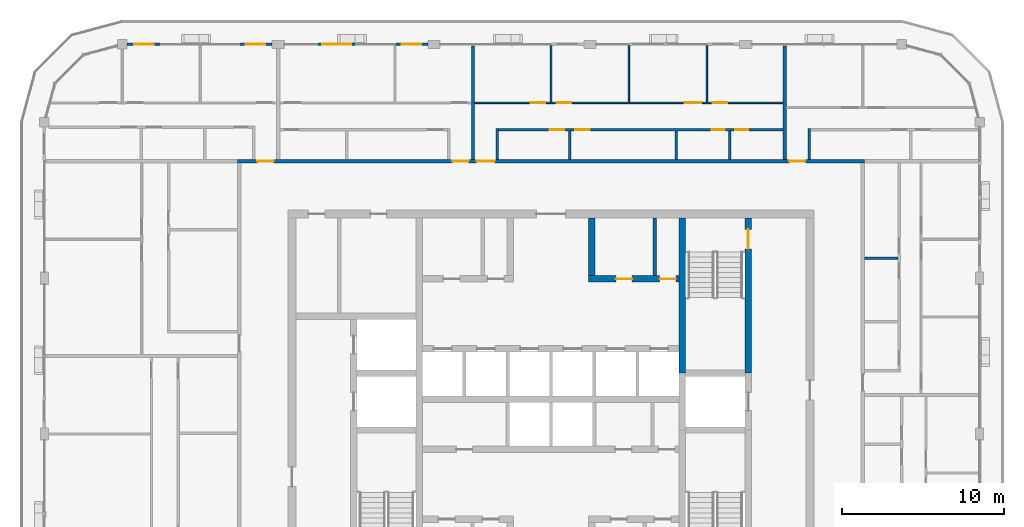
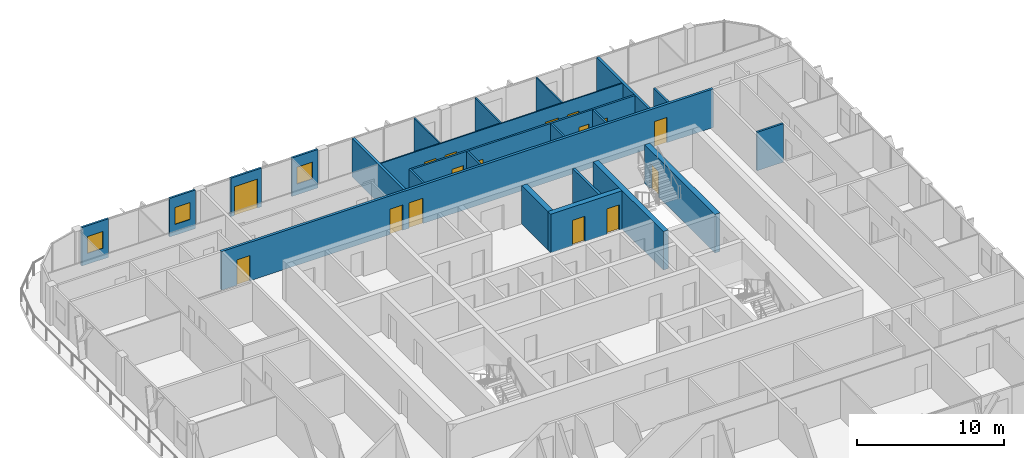
# One storey, part 14 of 22: 23 walls, 16 doors, 3 windows, 19 openings.
"""IFC4 building model written with IfcOpenShell, lengths in metres."""

from ifc_helpers import new_model, si_unit, direction, frame, frame_2d, origin, place, context, subcontext, project, spatial, rectangle, extrude, material, layer, layer_set, type_object, element, fill, save


model = new_model("IFC4")

# Units and contexts
model_context = context("Model", 3, precision=1e-05, world=origin(), true_north=direction((0.0, 1.0)))
body_context = subcontext(model_context, "Body", "Model", "MODEL_VIEW")
ifc_project = project(units=[si_unit("LENGTHUNIT", "METRE"), si_unit("AREAUNIT", "SQUARE_METRE"), si_unit("VOLUMEUNIT", "CUBIC_METRE"), si_unit("PLANEANGLEUNIT", "RADIAN"), si_unit("MASSUNIT", "GRAM", prefix="KILO")], contexts=[model_context])

# Site, building, storey
site_placement = place(None, origin())
site = spatial("IfcSite", under=ifc_project, at=site_placement, CompositionType="ELEMENT")
building_placement = place(site_placement, origin())
building = spatial("IfcBuilding", under=site, at=building_placement, Name="Madar Terraces", CompositionType="ELEMENT")
storey_placement = place(building_placement, frame((0.0, 0.0, 282.60009765625)))
storey = spatial("IfcBuildingStorey", under=building, at=storey_placement, Name="L74", CompositionType="ELEMENT", Elevation=282.60009765625)

# Wall
ifc_material_1 = material(Name="Concrete C50/60", Category="concrete")
ifc_layer_1 = layer(ifc_material_1, 0.39990234375)
ifc_layer_set_1 = layer_set([ifc_layer_1], Name="Concrete C50/60 (CIW6 RC wall 400)")
wall_type_1 = type_object("IfcWallType", Name="CIW6 RC wall 400", PredefinedType="SHEAR", material=ifc_layer_set_1)
wall_1_placement = place(storey_placement, frame((39.300048828125, 27.75, 0.0), z_axis=(0.0, 0.0, 1.0), x_axis=(0.0, 1.0, 0.0)))
element("IfcWall", 1, at=wall_1_placement, inside=storey, type_object=wall_type_1, Name="CORE SHAFT WALL", PredefinedType="SHEAR", context=body_context, shape_type="SweptSolid", body=[
    extrude(rectangle(XDim=9.550048828125, YDim=0.39990234375, at=frame_2d((4.77490234375, 0.0))), origin(), (0.0, 0.0, 1.0), 3.199951171875),
])

# Wall, opening, door
wall_2_placement = place(storey_placement, frame((43.35009765625, 27.75, 0.0), z_axis=(0.0, 0.0, 1.0), x_axis=(0.0, 1.0, 0.0)))
wall_2 = element("IfcWall", 2, at=wall_2_placement, inside=storey, type_object=wall_type_1, Name="CORE SHAFT WALL", PredefinedType="SHEAR", context=body_context, shape_type="SweptSolid", body=[
    extrude(rectangle(XDim=9.550048828125, YDim=0.39990234375, at=frame_2d((4.77490234375, 0.0))), origin(), (0.0, 0.0, 1.0), 3.199951171875),
])
opening_1_placement = place(wall_2_placement, frame((7.64990234375, 0.0, 0.0)))
opening_1 = element("IfcOpeningElement", 3, at=opening_1_placement, cuts=wall_2, Name="Opening SD1", PredefinedType="OPENING", context=body_context, shape_type="SweptSolid", body=[
    extrude(rectangle(XDim=1.199951171875, YDim=2.10009765625, at=frame_2d((0.60009765625, 1.050048828125))), frame((0.0, 0.2099609375, 0.0), z_axis=(0.0, -1.0, 0.0), x_axis=(1.0, 0.0, 0.0)), (0.0, 0.0, 1.0), 0.419921875),
])
ifc_material_2 = material(Name="Steel door leaf", Category="steel")
door_type_1 = type_object("IfcDoorType", Name="Stair door 1200 x 2100", OperationType="NOTDEFINED", PredefinedType="DOOR", material=ifc_material_2)
door_1_placement = place(opening_1_placement, origin())
door_1 = element("IfcDoor", 4, at=door_1_placement, inside=storey, type_object=door_type_1, Name="STAIR DOOR", OperationType="SINGLE_SWING_RIGHT", OverallHeight=2.10009765625, OverallWidth=1.199951171875, PredefinedType="DOOR", context=body_context, shape_type="SweptSolid", body=[
    extrude(rectangle(XDim=1.199951171875, YDim=2.10009765625, at=frame_2d((0.60009765625, 1.050048828125))), frame((0.0, 0.02490234375, 0.0), z_axis=(0.0, -1.0, 0.0), x_axis=(1.0, 0.0, 0.0)), (0.0, 0.0, 1.0), 0.050048828125),
])
fill(opening_1, door_1)

# Wall, openings, doors
wall_3_placement = place(storey_placement, frame((33.5, 33.550048828125, 0.0), z_axis=(0.0, 0.0, 1.0), x_axis=(1.0, 0.0, 0.0)))
wall_3 = element("IfcWall", 5, at=wall_3_placement, inside=storey, type_object=wall_type_1, Name="CORE SHAFT WALL", PredefinedType="SHEAR", context=body_context, shape_type="SweptSolid", body=[
    extrude(rectangle(XDim=5.60009765625, YDim=0.39990234375, at=frame_2d((2.800048828125, 0.0))), origin(), (0.0, 0.0, 1.0), 3.199951171875),
])
opening_2_placement = place(wall_3_placement, frame((1.696044921875, 0.0, 0.0)))
opening_2 = element("IfcOpeningElement", 6, at=opening_2_placement, cuts=wall_3, Name="Opening KD2", PredefinedType="OPENING", context=body_context, shape_type="SweptSolid", body=[
    extrude(rectangle(XDim=1.0, YDim=2.10009765625, at=frame_2d((0.5, 1.050048828125))), frame((0.0, 0.2099609375, 0.0), z_axis=(0.0, -1.0, 0.0), x_axis=(1.0, 0.0, 0.0)), (0.0, 0.0, 1.0), 0.419921875),
])
opening_3_placement = place(wall_3_placement, frame((4.39599609375, 0.0, 0.0)))
opening_3 = element("IfcOpeningElement", 7, at=opening_3_placement, cuts=wall_3, Name="Opening KD2", PredefinedType="OPENING", context=body_context, shape_type="SweptSolid", body=[
    extrude(rectangle(XDim=1.0, YDim=2.10009765625, at=frame_2d((0.5, 1.050048828125))), frame((0.0, 0.2099609375, 0.0), z_axis=(0.0, -1.0, 0.0), x_axis=(1.0, 0.0, 0.0)), (0.0, 0.0, 1.0), 0.419921875),
])
ifc_material_3 = material(Name="Steel door leaf", Category="steel")
door_type_2 = type_object("IfcDoorType", Name="Service room door 1000 x 2100", OperationType="NOTDEFINED", PredefinedType="DOOR", material=ifc_material_3)
door_2_placement = place(opening_2_placement, frame((1.0, 0.0, 0.0), z_axis=(0.0, 0.0, 1.0), x_axis=(-1.0, 0.0, 0.0)))
door_2 = element("IfcDoor", 8, at=door_2_placement, inside=storey, type_object=door_type_2, Name="SERVICE ROOM DOOR", OperationType="SINGLE_SWING_RIGHT", OverallHeight=2.10009765625, OverallWidth=1.0, PredefinedType="DOOR", context=body_context, shape_type="SweptSolid", body=[
    extrude(rectangle(XDim=1.0, YDim=2.10009765625, at=frame_2d((0.5, 1.050048828125))), frame((0.0, 0.02490234375, 0.0), z_axis=(0.0, -1.0, 0.0), x_axis=(1.0, 0.0, 0.0)), (0.0, 0.0, 1.0), 0.050048828125),
])
fill(opening_2, door_2)
door_3_placement = place(opening_3_placement, frame((1.0, 0.0, 0.0), z_axis=(0.0, 0.0, 1.0), x_axis=(-1.0, 0.0, 0.0)))
door_3 = element("IfcDoor", 9, at=door_3_placement, inside=storey, type_object=door_type_2, Name="SERVICE ROOM DOOR", OperationType="SINGLE_SWING_LEFT", OverallHeight=2.10009765625, OverallWidth=1.0, PredefinedType="DOOR", context=body_context, shape_type="SweptSolid", body=[
    extrude(rectangle(XDim=1.0, YDim=2.10009765625, at=frame_2d((0.5, 1.050048828125))), frame((0.0, 0.02490234375, 0.0), z_axis=(0.0, -1.0, 0.0), x_axis=(1.0, 0.0, 0.0)), (0.0, 0.0, 1.0), 0.050048828125),
])
fill(opening_3, door_3)

# Walls
wall_4_placement = place(storey_placement, frame((33.699951171875, 33.75, 0.0), z_axis=(0.0, 0.0, 1.0), x_axis=(0.0, 1.0, 0.0)))
element("IfcWall", 10, at=wall_4_placement, inside=storey, type_object=wall_type_1, Name="CORE SHAFT WALL", PredefinedType="SHEAR", context=body_context, shape_type="SweptSolid", body=[
    extrude(rectangle(XDim=3.550048828125, YDim=0.39990234375, at=frame_2d((1.77490234375, 0.0))), origin(), (0.0, 0.0, 1.0), 3.199951171875),
])
ifc_material_4 = material(Name="Masonry blockwork", Category="masonry")
ifc_layer_2 = layer(ifc_material_4, 0.199951171875)
ifc_layer_set_2 = layer_set([ifc_layer_2], Name="Core partition 200 blockwork")
wall_type_2 = type_object("IfcWallType", Name="Core partition 200 blockwork", PredefinedType="PARTITIONING", material=ifc_layer_set_2)
wall_5_placement = place(storey_placement, frame((37.592041015625, 33.75, 0.0), z_axis=(0.0, 0.0, 1.0), x_axis=(0.0, 1.0, 0.0)))
element("IfcWall", 11, at=wall_5_placement, inside=storey, type_object=wall_type_2, Name="SERVICE ROOM PARTITION", PredefinedType="PARTITIONING", context=body_context, shape_type="SweptSolid", body=[
    extrude(rectangle(XDim=3.550048828125, YDim=0.199951171875, at=frame_2d((1.77490234375, 0.0))), origin(), (0.0, 0.0, 1.0), 3.199951171875),
])

# Wall, opening, window
ifc_material_5 = material(Name="Aluminium composite panel, black, over insulated backing", Category="aluminium")
ifc_layer_3 = layer(ifc_material_5, 0.14990234375)
ifc_layer_set_3 = layer_set([ifc_layer_3], Name="Facade bay panel 150")
wall_type_3 = type_object("IfcWallType", Name="Facade bay panel 150", PredefinedType="SOLIDWALL", material=ifc_layer_set_3)
wall_6_placement = place(storey_placement, frame((23.625, 48.0, 0.0), z_axis=(0.0, 0.0, 1.0), x_axis=(-1.0, 0.0, 0.0)))
wall_6 = element("IfcWall", 12, at=wall_6_placement, inside=storey, type_object=wall_type_3, Name="Facade bay panel", PredefinedType="SOLIDWALL", context=body_context, shape_type="SweptSolid", body=[
    extrude(rectangle(XDim=2.02490234375, YDim=0.14990234375, at=frame_2d((1.012451171875, 0.0))), origin(), (0.0, 0.0, 1.0), 3.199951171875),
])
opening_4_placement = place(wall_6_placement, frame((0.41259765625, 0.0, 0.89990234375)))
opening_4 = element("IfcOpeningElement", 13, at=opening_4_placement, cuts=wall_6, Name="Opening W1", PredefinedType="OPENING", context=body_context, shape_type="SweptSolid", body=[
    extrude(rectangle(XDim=1.199951171875, YDim=1.39990234375, at=frame_2d((0.60009765625, 0.699951171875))), frame((0.0, 0.0849609375, 0.0), z_axis=(0.0, -1.0, 0.0), x_axis=(1.0, 0.0, 0.0)), (0.0, 0.0, 1.0), 0.169921875),
])
ifc_material_6 = material(Name="Glass, clear, with black aluminium frame", Category="aluminium")
window_type = type_object("IfcWindowType", Name="Vent window 1200 x 1400", PartitioningType="SINGLE_PANEL", PredefinedType="WINDOW", material=ifc_material_6)
window_1_placement = place(opening_4_placement, origin())
window_1 = element("IfcWindow", 14, at=window_1_placement, inside=storey, type_object=window_type, Name="Operable vent window", OverallHeight=1.39990234375, OverallWidth=1.199951171875, PartitioningType="SINGLE_PANEL", PredefinedType="WINDOW", context=body_context, shape_type="SweptSolid", body=[
    extrude(rectangle(XDim=1.199951171875, YDim=1.39990234375, at=frame_2d((0.60009765625, 0.699951171875))), frame((0.0, 0.030029296875, 0.0), z_axis=(0.0, -1.0, 0.0), x_axis=(1.0, 0.0, 0.0)), (0.0, 0.0, 1.0), 0.06005859375),
])
fill(opening_4, window_1)

# Wall, opening, door
wall_7_placement = place(storey_placement, frame((19.199951171875, 48.0, 0.0), z_axis=(0.0, 0.0, 1.0), x_axis=(-1.0, 0.0, 0.0)))
wall_7 = element("IfcWall", 15, at=wall_7_placement, inside=storey, type_object=wall_type_3, Name="Facade bay panel", PredefinedType="SOLIDWALL", context=body_context, shape_type="SweptSolid", body=[
    extrude(rectangle(XDim=2.39990234375, YDim=0.14990234375, at=frame_2d((1.199951171875, 0.0))), origin(), (0.0, 0.0, 1.0), 3.199951171875),
])
opening_5_placement = place(wall_7_placement, frame((0.300048828125, 0.0, 0.0)))
opening_5 = element("IfcOpeningElement", 16, at=opening_5_placement, cuts=wall_7, Name="Opening ED1", PredefinedType="OPENING", context=body_context, shape_type="SweptSolid", body=[
    extrude(rectangle(XDim=1.800048828125, YDim=2.39990234375, at=frame_2d((0.89990234375, 1.199951171875))), frame((0.0, 0.0849609375, 0.0), z_axis=(0.0, -1.0, 0.0), x_axis=(1.0, 0.0, 0.0)), (0.0, 0.0, 1.0), 0.169921875),
])
ifc_material_7 = material(Name="Glass, clear, with black aluminium frame", Category="aluminium")
door_type_3 = type_object("IfcDoorType", Name="Balcony and terrace sliding door 1800 x 2400", OperationType="SLIDING_TO_LEFT", PredefinedType="DOOR", material=ifc_material_7)
door_4_placement = place(opening_5_placement, origin())
door_4 = element("IfcDoor", 17, at=door_4_placement, inside=storey, type_object=door_type_3, Name="Balcony door", OperationType="SLIDING_TO_RIGHT", OverallHeight=2.39990234375, OverallWidth=1.800048828125, PredefinedType="DOOR", context=body_context, shape_type="SweptSolid", body=[
    extrude(rectangle(XDim=1.800048828125, YDim=2.39990234375, at=frame_2d((0.89990234375, 1.199951171875))), frame((0.0, 0.02490234375, 0.0), z_axis=(0.0, -1.0, 0.0), x_axis=(1.0, 0.0, 0.0)), (0.0, 0.0, 1.0), 0.050048828125),
])
fill(opening_5, door_4)

# Wall, opening, window
wall_8_placement = place(storey_placement, frame((14.02490234375, 48.0, 0.0), z_axis=(0.0, 0.0, 1.0), x_axis=(-1.0, 0.0, 0.0)))
wall_8 = element("IfcWall", 18, at=wall_8_placement, inside=storey, type_object=wall_type_3, Name="Facade bay panel", PredefinedType="SOLIDWALL", context=body_context, shape_type="SweptSolid", body=[
    extrude(rectangle(XDim=2.02490234375, YDim=0.14990234375, at=frame_2d((1.012451171875, 0.0))), origin(), (0.0, 0.0, 1.0), 3.199951171875),
])
opening_6_placement = place(wall_8_placement, frame((0.41259765625, 0.0, 0.89990234375)))
opening_6 = element("IfcOpeningElement", 19, at=opening_6_placement, cuts=wall_8, Name="Opening W1", PredefinedType="OPENING", context=body_context, shape_type="SweptSolid", body=[
    extrude(rectangle(XDim=1.199951171875, YDim=1.39990234375, at=frame_2d((0.60009765625, 0.699951171875))), frame((0.0, 0.0849609375, 0.0), z_axis=(0.0, -1.0, 0.0), x_axis=(1.0, 0.0, 0.0)), (0.0, 0.0, 1.0), 0.169921875),
])
window_2_placement = place(opening_6_placement, origin())
window_2 = element("IfcWindow", 20, at=window_2_placement, inside=storey, type_object=window_type, Name="Operable vent window", OverallHeight=1.39990234375, OverallWidth=1.199951171875, PartitioningType="SINGLE_PANEL", PredefinedType="WINDOW", context=body_context, shape_type="SweptSolid", body=[
    extrude(rectangle(XDim=1.199951171875, YDim=1.39990234375, at=frame_2d((0.60009765625, 0.699951171875))), frame((0.0, 0.030029296875, 0.0), z_axis=(0.0, -1.0, 0.0), x_axis=(1.0, 0.0, 0.0)), (0.0, 0.0, 1.0), 0.06005859375),
])
fill(opening_6, window_2)

wall_9_placement = place(storey_placement, frame((7.199951171875, 48.0, 0.0), z_axis=(0.0, 0.0, 1.0), x_axis=(-1.0, 0.0, 0.0)))
wall_9 = element("IfcWall", 21, at=wall_9_placement, inside=storey, type_object=wall_type_3, Name="Facade bay panel", PredefinedType="SOLIDWALL", context=body_context, shape_type="SweptSolid", body=[
    extrude(rectangle(XDim=2.099853515625, YDim=0.14990234375, at=frame_2d((1.0498046875, 0.0))), origin(), (0.0, 0.0, 1.0), 3.199951171875),
])
opening_7_placement = place(wall_9_placement, frame((0.449951171875, 0.0, 0.89990234375)))
opening_7 = element("IfcOpeningElement", 22, at=opening_7_placement, cuts=wall_9, Name="Opening W1", PredefinedType="OPENING", context=body_context, shape_type="SweptSolid", body=[
    extrude(rectangle(XDim=1.199951171875, YDim=1.39990234375, at=frame_2d((0.60009765625, 0.699951171875))), frame((0.0, 0.0849609375, 0.0), z_axis=(0.0, -1.0, 0.0), x_axis=(1.0, 0.0, 0.0)), (0.0, 0.0, 1.0), 0.169921875),
])
window_3_placement = place(opening_7_placement, origin())
window_3 = element("IfcWindow", 23, at=window_3_placement, inside=storey, type_object=window_type, Name="Operable vent window", OverallHeight=1.39990234375, OverallWidth=1.199951171875, PartitioningType="SINGLE_PANEL", PredefinedType="WINDOW", context=body_context, shape_type="SweptSolid", body=[
    extrude(rectangle(XDim=1.199951171875, YDim=1.39990234375, at=frame_2d((0.60009765625, 0.699951171875))), frame((0.0, 0.030029296875, 0.0), z_axis=(0.0, -1.0, 0.0), x_axis=(1.0, 0.0, 0.0)), (0.0, 0.0, 1.0), 0.06005859375),
])
fill(opening_7, window_3)

# Walls
ifc_material_8 = material(Name="Gypsum board on steel studs", Category="steel")
ifc_layer_4 = layer(ifc_material_8, 0.10009765625)
ifc_layer_set_4 = layer_set([ifc_layer_4], Name="Flat partition 100")
wall_type_4 = type_object("IfcWallType", Name="Flat partition 100", PredefinedType="PARTITIONING", material=ifc_layer_set_4)
for number, where, z_axis, x_axis, name in (
    (24, (31.199951171875, 44.449951171875, 0.0), (0.0, 0.0, 1.0), (0.0, 1.0, 0.0), "Flat partition 100"),
    (25, (36.0, 44.449951171875, 0.0), (0.0, 0.0, 1.0), (0.0, 1.0, 0.0), "Flat partition 100"),
    (26, (40.800048828125, 44.449951171875, 0.0), (0.0, 0.0, 1.0), (0.0, 1.0, 0.0), "Flat partition 100"),
):
    element("IfcWall", number, at=place(storey_placement, frame(where, z_axis=z_axis, x_axis=x_axis)), inside=storey, type_object=wall_type_4, Name=name, PredefinedType="PARTITIONING", context=body_context, shape_type="SweptSolid", body=[
        extrude(rectangle(XDim=3.449951171875, YDim=0.10009765625, at=frame_2d((1.72509765625, 0.0))), origin(), (0.0, 0.0, 1.0), 3.199951171875),
    ])

# Wall, openings, doors
wall_10_placement = place(storey_placement, frame((26.5, 44.39990234375, 0.0), z_axis=(0.0, 0.0, 1.0), x_axis=(1.0, 0.0, 0.0)))
wall_10 = element("IfcWall", 27, at=wall_10_placement, inside=storey, type_object=wall_type_4, Name="Flat partition 100", PredefinedType="PARTITIONING", context=body_context, shape_type="SweptSolid", body=[
    extrude(rectangle(XDim=19.0, YDim=0.10009765625, at=frame_2d((9.5, 0.0))), origin(), (0.0, 0.0, 1.0), 3.199951171875),
])
opening_8_placement = place(wall_10_placement, frame((3.449951171875, 0.0, 0.0)))
opening_8 = element("IfcOpeningElement", 28, at=opening_8_placement, cuts=wall_10, Name="Opening D2", PredefinedType="OPENING", context=body_context, shape_type="SweptSolid", body=[
    extrude(rectangle(XDim=0.89990234375, YDim=2.10009765625, at=frame_2d((0.449951171875, 1.050048828125))), frame((0.0, 0.06005859375, 0.0), z_axis=(0.0, -1.0, 0.0), x_axis=(1.0, 0.0, 0.0)), (0.0, 0.0, 1.0), 0.1201171875),
])
opening_9_placement = place(wall_10_placement, frame((5.050048828125, 0.0, 0.0)))
opening_9 = element("IfcOpeningElement", 29, at=opening_9_placement, cuts=wall_10, Name="Opening D2", PredefinedType="OPENING", context=body_context, shape_type="SweptSolid", body=[
    extrude(rectangle(XDim=0.89990234375, YDim=2.10009765625, at=frame_2d((0.449951171875, 1.050048828125))), frame((0.0, 0.06005859375, 0.0), z_axis=(0.0, -1.0, 0.0), x_axis=(1.0, 0.0, 0.0)), (0.0, 0.0, 1.0), 0.1201171875),
])
opening_10_placement = place(wall_10_placement, frame((12.949951171875, 0.0, 0.0)))
opening_10 = element("IfcOpeningElement", 30, at=opening_10_placement, cuts=wall_10, Name="Opening D3", PredefinedType="OPENING", context=body_context, shape_type="SweptSolid", body=[
    extrude(rectangle(XDim=1.0, YDim=2.10009765625, at=frame_2d((0.5, 1.050048828125))), frame((0.0, 0.06005859375, 0.0), z_axis=(0.0, -1.0, 0.0), x_axis=(1.0, 0.0, 0.0)), (0.0, 0.0, 1.0), 0.1201171875),
])
opening_11_placement = place(wall_10_placement, frame((14.64990234375, 0.0, 0.0)))
opening_11 = element("IfcOpeningElement", 31, at=opening_11_placement, cuts=wall_10, Name="Opening D2", PredefinedType="OPENING", context=body_context, shape_type="SweptSolid", body=[
    extrude(rectangle(XDim=0.89990234375, YDim=2.10009765625, at=frame_2d((0.449951171875, 1.050048828125))), frame((0.0, 0.06005859375, 0.0), z_axis=(0.0, -1.0, 0.0), x_axis=(1.0, 0.0, 0.0)), (0.0, 0.0, 1.0), 0.1201171875),
])
ifc_material_9 = material(Name="Timber door leaf", Category="wood")
door_type_4 = type_object("IfcDoorType", Name="Flat living room door 1000", OperationType="NOTDEFINED", PredefinedType="DOOR", material=ifc_material_9)
door_5_placement = place(opening_10_placement, origin())
door_5 = element("IfcDoor", 32, at=door_5_placement, inside=storey, type_object=door_type_4, Name="Flat living room door 1000", OperationType="SINGLE_SWING_RIGHT", OverallHeight=2.10009765625, OverallWidth=1.0, PredefinedType="DOOR", context=body_context, shape_type="SweptSolid", body=[
    extrude(rectangle(XDim=1.0, YDim=2.10009765625, at=frame_2d((0.5, 1.050048828125))), frame((0.0, 0.02490234375, 0.0), z_axis=(0.0, -1.0, 0.0), x_axis=(1.0, 0.0, 0.0)), (0.0, 0.0, 1.0), 0.050048828125),
])
fill(opening_10, door_5)
ifc_material_10 = material(Name="Timber door leaf", Category="wood")
door_type_5 = type_object("IfcDoorType", Name="Flat room door 900", OperationType="NOTDEFINED", PredefinedType="DOOR", material=ifc_material_10)
door_6_placement = place(opening_8_placement, origin())
door_6 = element("IfcDoor", 33, at=door_6_placement, inside=storey, type_object=door_type_5, Name="Flat room door 900", OperationType="SINGLE_SWING_RIGHT", OverallHeight=2.10009765625, OverallWidth=0.89990234375, PredefinedType="DOOR", context=body_context, shape_type="SweptSolid", body=[
    extrude(rectangle(XDim=0.89990234375, YDim=2.10009765625, at=frame_2d((0.449951171875, 1.050048828125))), frame((0.0, 0.02490234375, 0.0), z_axis=(0.0, -1.0, 0.0), x_axis=(1.0, 0.0, 0.0)), (0.0, 0.0, 1.0), 0.050048828125),
])
fill(opening_8, door_6)
door_7_placement = place(opening_9_placement, origin())
door_7 = element("IfcDoor", 34, at=door_7_placement, inside=storey, type_object=door_type_5, Name="Flat room door 900", OperationType="SINGLE_SWING_LEFT", OverallHeight=2.10009765625, OverallWidth=0.89990234375, PredefinedType="DOOR", context=body_context, shape_type="SweptSolid", body=[
    extrude(rectangle(XDim=0.89990234375, YDim=2.10009765625, at=frame_2d((0.449951171875, 1.050048828125))), frame((0.0, 0.02490234375, 0.0), z_axis=(0.0, -1.0, 0.0), x_axis=(1.0, 0.0, 0.0)), (0.0, 0.0, 1.0), 0.050048828125),
])
fill(opening_9, door_7)
door_8_placement = place(opening_11_placement, origin())
door_8 = element("IfcDoor", 35, at=door_8_placement, inside=storey, type_object=door_type_5, Name="Flat room door 900", OperationType="SINGLE_SWING_LEFT", OverallHeight=2.10009765625, OverallWidth=0.89990234375, PredefinedType="DOOR", context=body_context, shape_type="SweptSolid", body=[
    extrude(rectangle(XDim=0.89990234375, YDim=2.10009765625, at=frame_2d((0.449951171875, 1.050048828125))), frame((0.0, 0.02490234375, 0.0), z_axis=(0.0, -1.0, 0.0), x_axis=(1.0, 0.0, 0.0)), (0.0, 0.0, 1.0), 0.050048828125),
])
fill(opening_11, door_8)

ifc_material_11 = material(Name="Lightweight blockwork", Category="masonry")
ifc_layer_5 = layer(ifc_material_11, 0.199951171875)
ifc_layer_set_5 = layer_set([ifc_layer_5], Name="Flat party and entrance wall 200")
wall_type_5 = type_object("IfcWallType", Name="Flat party and entrance wall 200", PredefinedType="PARTITIONING", material=ifc_layer_set_5)
wall_11_placement = place(storey_placement, frame((11.89990234375, 40.800048828125, 0.0), z_axis=(0.0, 0.0, 1.0), x_axis=(1.0, 0.0, 0.0)))
wall_11 = element("IfcWall", 36, at=wall_11_placement, inside=storey, type_object=wall_type_5, Name="Flat party and entrance wall 200", PredefinedType="PARTITIONING", context=body_context, shape_type="SweptSolid", body=[
    extrude(rectangle(XDim=38.60009765625, YDim=0.199951171875, at=frame_2d((19.300048828125, 0.0))), origin(), (0.0, 0.0, 1.0), 3.199951171875),
])
opening_12_placement = place(wall_11_placement, frame((33.97509765625, 0.0, 0.0)))
opening_12 = element("IfcOpeningElement", 37, at=opening_12_placement, cuts=wall_11, Name="Opening D1", PredefinedType="OPENING", context=body_context, shape_type="SweptSolid", body=[
    extrude(rectangle(XDim=1.0, YDim=2.10009765625, at=frame_2d((0.5, 1.050048828125))), frame((0.0, 0.10986328125, 0.0), z_axis=(0.0, -1.0, 0.0), x_axis=(1.0, 0.0, 0.0)), (0.0, 0.0, 1.0), 0.219970703125),
])
opening_13_placement = place(wall_11_placement, frame((14.72509765625, 0.0, 0.0)))
opening_13 = element("IfcOpeningElement", 38, at=opening_13_placement, cuts=wall_11, Name="Opening D6", PredefinedType="OPENING", context=body_context, shape_type="SweptSolid", body=[
    extrude(rectangle(XDim=1.10009765625, YDim=2.10009765625, at=frame_2d((0.550048828125, 1.050048828125))), frame((0.0, 0.10986328125, 0.0), z_axis=(0.0, -1.0, 0.0), x_axis=(1.0, 0.0, 0.0)), (0.0, 0.0, 1.0), 0.219970703125),
])
opening_14_placement = place(wall_11_placement, frame((13.22509765625, 0.0, 0.0)))
opening_14 = element("IfcOpeningElement", 39, at=opening_14_placement, cuts=wall_11, Name="Opening D1", PredefinedType="OPENING", context=body_context, shape_type="SweptSolid", body=[
    extrude(rectangle(XDim=1.0, YDim=2.10009765625, at=frame_2d((0.5, 1.050048828125))), frame((0.0, 0.10986328125, 0.0), z_axis=(0.0, -1.0, 0.0), x_axis=(1.0, 0.0, 0.0)), (0.0, 0.0, 1.0), 0.219970703125),
])
opening_15_placement = place(wall_11_placement, frame((1.22509765625, 0.0, 0.0)))
opening_15 = element("IfcOpeningElement", 40, at=opening_15_placement, cuts=wall_11, Name="Opening D1", PredefinedType="OPENING", context=body_context, shape_type="SweptSolid", body=[
    extrude(rectangle(XDim=1.0, YDim=2.10009765625, at=frame_2d((0.5, 1.050048828125))), frame((0.0, 0.10986328125, 0.0), z_axis=(0.0, -1.0, 0.0), x_axis=(1.0, 0.0, 0.0)), (0.0, 0.0, 1.0), 0.219970703125),
])
ifc_material_12 = material(Name="Timber fire door leaf", Category="wood")
door_type_6 = type_object("IfcDoorType", Name="Flat entrance door 1000 FD30S", OperationType="NOTDEFINED", PredefinedType="DOOR", material=ifc_material_12)
door_9_placement = place(opening_12_placement, origin())
door_9 = element("IfcDoor", 41, at=door_9_placement, inside=storey, type_object=door_type_6, Name="Flat entrance door 1000 FD30S", OperationType="SINGLE_SWING_LEFT", OverallHeight=2.10009765625, OverallWidth=1.0, PredefinedType="DOOR", context=body_context, shape_type="SweptSolid", body=[
    extrude(rectangle(XDim=1.0, YDim=2.10009765625, at=frame_2d((0.5, 1.050048828125))), frame((0.0, 0.02490234375, 0.0), z_axis=(0.0, -1.0, 0.0), x_axis=(1.0, 0.0, 0.0)), (0.0, 0.0, 1.0), 0.050048828125),
])
fill(opening_12, door_9)
door_10_placement = place(opening_14_placement, origin())
door_10 = element("IfcDoor", 42, at=door_10_placement, inside=storey, type_object=door_type_6, Name="Flat entrance door 1000 FD30S", OperationType="SINGLE_SWING_RIGHT", OverallHeight=2.10009765625, OverallWidth=1.0, PredefinedType="DOOR", context=body_context, shape_type="SweptSolid", body=[
    extrude(rectangle(XDim=1.0, YDim=2.10009765625, at=frame_2d((0.5, 1.050048828125))), frame((0.0, 0.02490234375, 0.0), z_axis=(0.0, -1.0, 0.0), x_axis=(1.0, 0.0, 0.0)), (0.0, 0.0, 1.0), 0.050048828125),
])
fill(opening_14, door_10)
door_11_placement = place(opening_15_placement, origin())
door_11 = element("IfcDoor", 43, at=door_11_placement, inside=storey, type_object=door_type_6, Name="Flat entrance door 1000 FD30S", OperationType="SINGLE_SWING_RIGHT", OverallHeight=2.10009765625, OverallWidth=1.0, PredefinedType="DOOR", context=body_context, shape_type="SweptSolid", body=[
    extrude(rectangle(XDim=1.0, YDim=2.10009765625, at=frame_2d((0.5, 1.050048828125))), frame((0.0, 0.02490234375, 0.0), z_axis=(0.0, -1.0, 0.0), x_axis=(1.0, 0.0, 0.0)), (0.0, 0.0, 1.0), 0.050048828125),
])
fill(opening_15, door_11)
ifc_material_13 = material(Name="Timber fire door leaf", Category="wood")
door_type_7 = type_object("IfcDoorType", Name="Flat entrance door 1100 FD30S", OperationType="NOTDEFINED", PredefinedType="DOOR", material=ifc_material_13)
door_12_placement = place(opening_13_placement, origin())
door_12 = element("IfcDoor", 44, at=door_12_placement, inside=storey, type_object=door_type_7, Name="Flat entrance door 1100 FD30S", OperationType="SINGLE_SWING_LEFT", OverallHeight=2.10009765625, OverallWidth=1.10009765625, PredefinedType="DOOR", context=body_context, shape_type="SweptSolid", body=[
    extrude(rectangle(XDim=1.10009765625, YDim=2.10009765625, at=frame_2d((0.550048828125, 1.050048828125))), frame((0.0, 0.02490234375, 0.0), z_axis=(0.0, -1.0, 0.0), x_axis=(1.0, 0.0, 0.0)), (0.0, 0.0, 1.0), 0.050048828125),
])
fill(opening_13, door_12)

# Walls
for number, where, z_axis, x_axis, name in (
    (45, (45.60009765625, 47.89990234375, 0.0), (0.0, 0.0, 1.0), (0.0, -1.0, 0.0), "Flat party and entrance wall 200"),
    (46, (26.39990234375, 47.89990234375, 0.0), (0.0, 0.0, 1.0), (0.0, -1.0, 0.0), "Flat party and entrance wall 200"),
):
    element("IfcWall", number, at=place(storey_placement, frame(where, z_axis=z_axis, x_axis=x_axis)), inside=storey, type_object=wall_type_5, Name=name, PredefinedType="PARTITIONING", context=body_context, shape_type="SweptSolid", body=[
        extrude(rectangle(XDim=7.0, YDim=0.199951171875, at=frame_2d((3.5, 0.0))), origin(), (0.0, 0.0, 1.0), 3.199951171875),
    ])
ifc_material_14 = material(Name="Lightweight blockwork", Category="masonry")
ifc_layer_6 = layer(ifc_material_14, 0.14990234375)
ifc_layer_set_6 = layer_set([ifc_layer_6], Name="Flat wet-room partition 150")
wall_type_6 = type_object("IfcWallType", Name="Flat wet-room partition 150", PredefinedType="PARTITIONING", material=ifc_layer_set_6)
wall_12_placement = place(storey_placement, frame((50.5, 34.826904296875, 0.0), z_axis=(0.0, 0.0, 1.0), x_axis=(1.0, 0.0, 0.0)))
element("IfcWall", 47, at=wall_12_placement, inside=storey, type_object=wall_type_6, Name="Flat wet-room partition 150", PredefinedType="PARTITIONING", context=body_context, shape_type="SweptSolid", body=[
    extrude(rectangle(XDim=2.074951171875, YDim=0.14990234375, at=frame_2d((1.03759765625, 0.0))), origin(), (0.0, 0.0, 1.0), 3.199951171875),
])
wall_13_placement = place(storey_placement, frame((47.10009765625, 40.89990234375, 0.0), z_axis=(0.0, 0.0, 1.0), x_axis=(0.0, 1.0, 0.0)))
element("IfcWall", 48, at=wall_13_placement, inside=storey, type_object=wall_type_6, Name="Flat wet-room partition 150", PredefinedType="PARTITIONING", context=body_context, shape_type="SweptSolid", body=[
    extrude(rectangle(XDim=1.925048828125, YDim=0.14990234375, at=frame_2d((0.96240234375, 0.0))), origin(), (0.0, 0.0, 1.0), 3.199951171875),
])
for number, where, z_axis, x_axis, name in (
    (49, (32.356201171875, 40.89990234375, 0.0), (0.0, 0.0, 1.0), (0.0, 1.0, 0.0), "Flat wet-room partition 150"),
    (50, (38.927978515625, 40.89990234375, 0.0), (0.0, 0.0, 1.0), (0.0, 1.0, 0.0), "Flat wet-room partition 150"),
    (51, (42.214111328125, 40.89990234375, 0.0), (0.0, 0.0, 1.0), (0.0, 1.0, 0.0), "Flat wet-room partition 150"),
):
    element("IfcWall", number, at=place(storey_placement, frame(where, z_axis=z_axis, x_axis=x_axis)), inside=storey, type_object=wall_type_6, Name=name, PredefinedType="PARTITIONING", context=body_context, shape_type="SweptSolid", body=[
        extrude(rectangle(XDim=1.775146484375, YDim=0.14990234375, at=frame_2d((0.8876953125, 0.0))), origin(), (0.0, 0.0, 1.0), 3.199951171875),
    ])
wall_14_placement = place(storey_placement, frame((27.89990234375, 40.89990234375, 0.0), z_axis=(0.0, 0.0, 1.0), x_axis=(0.0, 1.0, 0.0)))
element("IfcWall", 52, at=wall_14_placement, inside=storey, type_object=wall_type_6, Name="Flat wet-room partition 150", PredefinedType="PARTITIONING", context=body_context, shape_type="SweptSolid", body=[
    extrude(rectangle(XDim=1.925048828125, YDim=0.14990234375, at=frame_2d((0.96240234375, 0.0))), origin(), (0.0, 0.0, 1.0), 3.199951171875),
])

# Wall, openings, doors
wall_15_placement = place(storey_placement, frame((45.5, 42.75, 0.0), z_axis=(0.0, 0.0, 1.0), x_axis=(-1.0, 0.0, 0.0)))
wall_15 = element("IfcWall", 53, at=wall_15_placement, inside=storey, type_object=wall_type_6, Name="Flat wet-room partition 150", PredefinedType="PARTITIONING", context=body_context, shape_type="SweptSolid", body=[
    extrude(rectangle(XDim=17.52490234375, YDim=0.14990234375, at=frame_2d((8.762451171875, 0.0))), origin(), (0.0, 0.0, 1.0), 3.199951171875),
])
opening_16_placement = place(wall_15_placement, frame((13.46875, 0.0, 0.0)))
opening_16 = element("IfcOpeningElement", 54, at=opening_16_placement, cuts=wall_15, Name="Opening D5", PredefinedType="OPENING", context=body_context, shape_type="SweptSolid", body=[
    extrude(rectangle(XDim=0.89990234375, YDim=2.10009765625, at=frame_2d((0.449951171875, 1.050048828125))), frame((0.0, 0.0849609375, 0.0), z_axis=(0.0, -1.0, 0.0), x_axis=(1.0, 0.0, 0.0)), (0.0, 0.0, 1.0), 0.169921875),
])
opening_17_placement = place(wall_15_placement, frame((11.918701171875, 0.0, 0.0)))
opening_17 = element("IfcOpeningElement", 55, at=opening_17_placement, cuts=wall_15, Name="Opening D2", PredefinedType="OPENING", context=body_context, shape_type="SweptSolid", body=[
    extrude(rectangle(XDim=0.89990234375, YDim=2.10009765625, at=frame_2d((0.449951171875, 1.050048828125))), frame((0.0, 0.0849609375, 0.0), z_axis=(0.0, -1.0, 0.0), x_axis=(1.0, 0.0, 0.0)), (0.0, 0.0, 1.0), 0.169921875),
])
opening_18_placement = place(wall_15_placement, frame((3.611083984375, 0.0, 0.0)))
opening_18 = element("IfcOpeningElement", 56, at=opening_18_placement, cuts=wall_15, Name="Opening D7", PredefinedType="OPENING", context=body_context, shape_type="SweptSolid", body=[
    extrude(rectangle(XDim=0.800048828125, YDim=2.10009765625, at=frame_2d((0.39990234375, 1.050048828125))), frame((0.0, 0.0849609375, 0.0), z_axis=(0.0, -1.0, 0.0), x_axis=(1.0, 0.0, 0.0)), (0.0, 0.0, 1.0), 0.169921875),
])
opening_19_placement = place(wall_15_placement, frame((2.160888671875, 0.0, 0.0)))
opening_19 = element("IfcOpeningElement", 57, at=opening_19_placement, cuts=wall_15, Name="Opening D4", PredefinedType="OPENING", context=body_context, shape_type="SweptSolid", body=[
    extrude(rectangle(XDim=0.800048828125, YDim=2.10009765625, at=frame_2d((0.39990234375, 1.050048828125))), frame((0.0, 0.0849609375, 0.0), z_axis=(0.0, -1.0, 0.0), x_axis=(1.0, 0.0, 0.0)), (0.0, 0.0, 1.0), 0.169921875),
])
ifc_material_15 = material(Name="Timber door leaf", Category="wood")
door_type_8 = type_object("IfcDoorType", Name="Flat accessible bathroom door 900", OperationType="NOTDEFINED", PredefinedType="DOOR", material=ifc_material_15)
door_13_placement = place(opening_16_placement, origin())
door_13 = element("IfcDoor", 58, at=door_13_placement, inside=storey, type_object=door_type_8, Name="Flat accessible bathroom door 900", OperationType="SINGLE_SWING_LEFT", OverallHeight=2.10009765625, OverallWidth=0.89990234375, PredefinedType="DOOR", context=body_context, shape_type="SweptSolid", body=[
    extrude(rectangle(XDim=0.89990234375, YDim=2.10009765625, at=frame_2d((0.449951171875, 1.050048828125))), frame((0.0, 0.02490234375, 0.0), z_axis=(0.0, -1.0, 0.0), x_axis=(1.0, 0.0, 0.0)), (0.0, 0.0, 1.0), 0.050048828125),
])
fill(opening_16, door_13)
ifc_material_16 = material(Name="Timber door leaf", Category="wood")
door_type_9 = type_object("IfcDoorType", Name="Flat bathroom door 800", OperationType="NOTDEFINED", PredefinedType="DOOR", material=ifc_material_16)
door_14_placement = place(opening_19_placement, origin())
door_14 = element("IfcDoor", 59, at=door_14_placement, inside=storey, type_object=door_type_9, Name="Flat bathroom door 800", OperationType="SINGLE_SWING_RIGHT", OverallHeight=2.10009765625, OverallWidth=0.800048828125, PredefinedType="DOOR", context=body_context, shape_type="SweptSolid", body=[
    extrude(rectangle(XDim=0.800048828125, YDim=2.10009765625, at=frame_2d((0.39990234375, 1.050048828125))), frame((0.0, 0.02490234375, 0.0), z_axis=(0.0, -1.0, 0.0), x_axis=(1.0, 0.0, 0.0)), (0.0, 0.0, 1.0), 0.050048828125),
])
fill(opening_19, door_14)
door_15_placement = place(opening_17_placement, origin())
door_15 = element("IfcDoor", 60, at=door_15_placement, inside=storey, type_object=door_type_5, Name="Flat room door 900", OperationType="SINGLE_SWING_RIGHT", OverallHeight=2.10009765625, OverallWidth=0.89990234375, PredefinedType="DOOR", context=body_context, shape_type="SweptSolid", body=[
    extrude(rectangle(XDim=0.89990234375, YDim=2.10009765625, at=frame_2d((0.449951171875, 1.050048828125))), frame((0.0, 0.02490234375, 0.0), z_axis=(0.0, -1.0, 0.0), x_axis=(1.0, 0.0, 0.0)), (0.0, 0.0, 1.0), 0.050048828125),
])
fill(opening_17, door_15)
ifc_material_17 = material(Name="Timber door leaf", Category="wood")
door_type_10 = type_object("IfcDoorType", Name="Flat utility door 800", OperationType="NOTDEFINED", PredefinedType="DOOR", material=ifc_material_17)
door_16_placement = place(opening_18_placement, origin())
door_16 = element("IfcDoor", 61, at=door_16_placement, inside=storey, type_object=door_type_10, Name="Flat utility door 800", OperationType="SINGLE_SWING_LEFT", OverallHeight=2.10009765625, OverallWidth=0.800048828125, PredefinedType="DOOR", context=body_context, shape_type="SweptSolid", body=[
    extrude(rectangle(XDim=0.800048828125, YDim=2.10009765625, at=frame_2d((0.39990234375, 1.050048828125))), frame((0.0, 0.02490234375, 0.0), z_axis=(0.0, -1.0, 0.0), x_axis=(1.0, 0.0, 0.0)), (0.0, 0.0, 1.0), 0.050048828125),
])
fill(opening_18, door_16)

save(model, "model.ifc")
